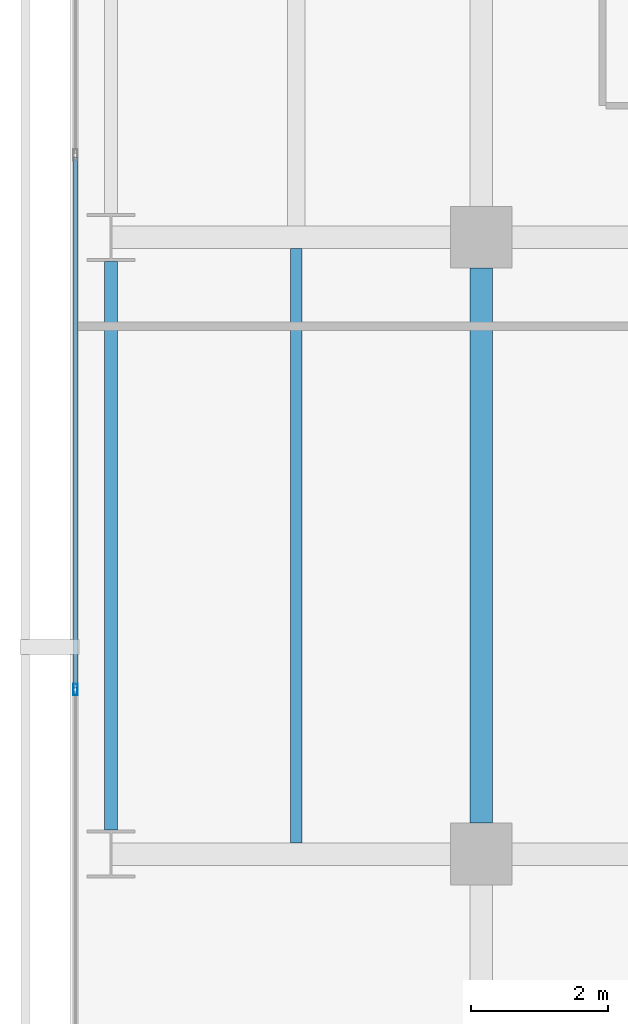
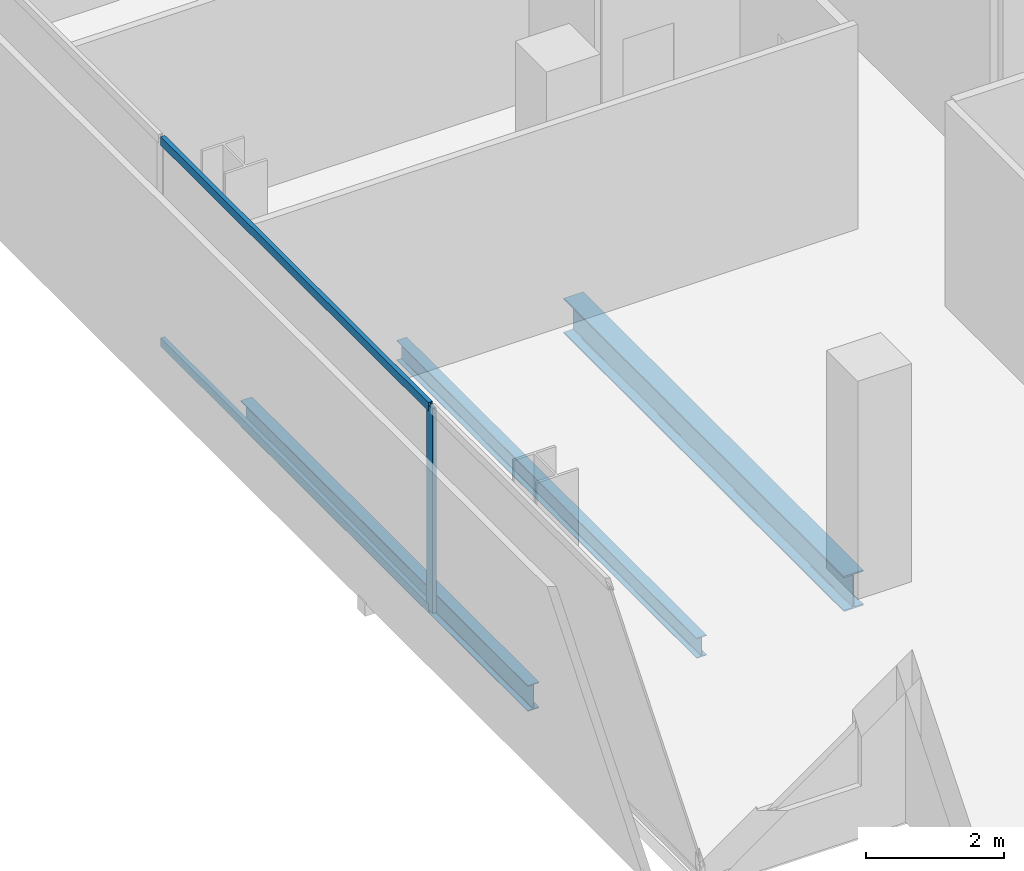
# One storey, part 5 of 40: 3 beams, 3 members, 1 element without a shape of its own.
"""IFC4 building model written with IfcOpenShell, lengths in metres."""

from ifc_helpers import new_model, si_unit, direction, frame, origin, origin_2d, place, context, subcontext, project, spatial, hollow_rectangle, i_section, extrude, material, layer, layer_set, material_profile, profile_set, type_object, element, aggregate, save


model = new_model("IFC4")

# Units and contexts
model_context = context("Model", 3, precision=1e-05, world=origin(), true_north=direction((0.0, 1.0)))
body_context = subcontext(model_context, "Body", "Model", "MODEL_VIEW")
ifc_project = project(units=[si_unit("LENGTHUNIT", "METRE"), si_unit("AREAUNIT", "SQUARE_METRE"), si_unit("VOLUMEUNIT", "CUBIC_METRE"), si_unit("PLANEANGLEUNIT", "RADIAN"), si_unit("MASSUNIT", "GRAM", prefix="KILO")], contexts=[model_context])

# Site, building, storey
site_placement = place(None, origin())
site = spatial("IfcSite", under=ifc_project, at=site_placement, CompositionType="ELEMENT")
building_placement = place(site_placement, origin())
building = spatial("IfcBuilding", under=site, at=building_placement, Name="Maruvema Waterfront Hotel and Observation Tower", CompositionType="ELEMENT")
storey_placement = place(building_placement, frame((0.0, 0.0, 50.050048828125)))
storey = spatial("IfcBuildingStorey", under=building, at=storey_placement, Name="L11", CompositionType="ELEMENT", Elevation=50.050048828125)

# Curtain wall, members
ifc_material_1 = material(Name="Anodised bronze aluminium and solar-control low-E IGU", Category="aluminium")
ifc_layer = layer(ifc_material_1, 0.159912109375, Name="Zone 1 Bronze Inner Thermal Curtain Wall System CW-02")
ifc_layer_set = layer_set([ifc_layer], Name="Anodised bronze aluminium and solar-control low-E IGU")
curtain_wall_type = type_object("IfcCurtainWallType", Name="Zone 1 Bronze Inner Thermal Curtain Wall System CW-02", PredefinedType="USERDEFINED", material=ifc_layer_set)
curtain_wall_placement = place(storey_placement, origin())
curtain_wall = element("IfcCurtainWall", 1, at=curtain_wall_placement, inside=storey, type_object=curtain_wall_type, Name="L11 Curtain Wall CW-L11-W", ObjectType="UNITISED CURTAIN WALL", PredefinedType="USERDEFINED")
ifc_material_2 = material(Name="Anodised architectural bronze aluminium", Category="aluminium")
ifc_material_profile_1 = material_profile(ifc_material_2, hollow_rectangle(XDim=0.070068359375, YDim=0.14990234375, WallThickness=0.00390625, at=origin_2d()), Name="ALU-T70x150")
ifc_profile_set_1 = profile_set([ifc_material_profile_1], Name="Anodised architectural bronze aluminium")
member_type_1 = type_object("IfcMemberType", Name="Curtain Wall Horizontal Transom ALU-T70x150", PredefinedType="USERDEFINED", material=ifc_profile_set_1)
member_1_placement = place(storey_placement, frame((10.8798828125, 19.169921875, 0.030029296875), z_axis=(0.0, -1.0, 0.0), x_axis=(1.0, 0.0, 0.0)))
member_1 = element("IfcMember", 2, at=member_1_placement, type_object=member_type_1, Name="CW-02 transom 5.1", ObjectType="TRANSOM", PredefinedType="USERDEFINED", context=body_context, shape_type="SweptSolid", body=[
    extrude(hollow_rectangle(XDim=0.070068359375, YDim=0.14990234375, WallThickness=0.00390625, at=origin_2d()), origin(), (0.0, 0.0, 1.0), 7.739990234375),
])
member_2_placement = place(storey_placement, frame((10.8798828125, 19.169921875, 3.579833984375), z_axis=(0.0, -1.0, 0.0), x_axis=(1.0, 0.0, 0.0)))
member_2 = element("IfcMember", 3, at=member_2_placement, type_object=member_type_1, Name="CW-02 transom 5.2", ObjectType="TRANSOM", PredefinedType="USERDEFINED", context=body_context, shape_type="SweptSolid", body=[
    extrude(hollow_rectangle(XDim=0.070068359375, YDim=0.14990234375, WallThickness=0.00390625, at=origin_2d()), origin(), (0.0, 0.0, 1.0), 7.739990234375),
])
ifc_material_3 = material(Name="Anodised architectural bronze aluminium", Category="aluminium")
ifc_material_profile_2 = material_profile(ifc_material_3, hollow_rectangle(XDim=0.06494140625, YDim=0.1650390625, WallThickness=0.00390625, at=origin_2d()), Name="ALU-M65x165")
ifc_profile_set_2 = profile_set([ifc_material_profile_2], Name="Anodised architectural bronze aluminium")
member_type_2 = type_object("IfcMemberType", Name="Curtain Wall Primary Mullion ALU-M65x165", PredefinedType="MULLION", material=ifc_profile_set_2)
member_3_placement = place(storey_placement, frame((10.8798828125, 11.39990234375, 0.0), z_axis=(0.0, 0.0, 1.0), x_axis=(1.0, 0.0, 0.0)))
member_3 = element("IfcMember", 4, at=member_3_placement, type_object=member_type_2, Name="CW-02 mullion 6", PredefinedType="MULLION", context=body_context, shape_type="SweptSolid", body=[
    extrude(hollow_rectangle(XDim=0.06494140625, YDim=0.1650390625, WallThickness=0.00390625, at=origin_2d()), origin(), (0.0, 0.0, 1.0), 3.60986328125),
])
aggregate(curtain_wall, [member_3, member_1, member_2])

# Beams
ifc_material_4 = material(Name="Steel ASTM A572 Grade 50", Category="steel")
ifc_material_profile_3 = material_profile(ifc_material_4, i_section(OverallWidth=0.18994140625, OverallDepth=0.45703125, WebThickness=0.009033203125, FlangeThickness=0.014404296875, FilletRadius=0.014892578125, at=origin_2d()), Name="W460x74.0")
ifc_profile_set_3 = profile_set([ifc_material_profile_3], Name="Steel ASTM A572 Grade 50")
beam_type_1 = type_object("IfcBeamType", Name="Perimeter Spandrel Beam W460x74.0", PredefinedType="SPANDREL", material=ifc_profile_set_3)
beam_1_placement = place(storey_placement, frame((11.39990234375, 9.35009765625, -0.468505859375), z_axis=(0.0, 1.0, 0.0), x_axis=(-1.0, 0.0, 0.0)))
element("IfcBeam", 5, at=beam_1_placement, inside=storey, type_object=beam_type_1, Name="L11 Floor Girder NS-01", PredefinedType="SPANDREL", context=body_context, shape_type="SweptSolid", body=[
    extrude(i_section(OverallWidth=0.18994140625, OverallDepth=0.45703125, WebThickness=0.009033203125, FlangeThickness=0.014404296875, FilletRadius=0.014892578125, at=origin_2d()), origin(), (0.0, 0.0, 1.0), 8.2998046875),
])
ifc_material_5 = material(Name="Steel ASTM A572 Grade 50", Category="steel")
ifc_material_profile_4 = material_profile(ifc_material_5, i_section(OverallWidth=0.326904296875, OverallDepth=0.6220703125, WebThickness=0.015380859375, FlangeThickness=0.0244140625, FilletRadius=0.01806640625, at=origin_2d()), Name="W610x195.0")
ifc_profile_set_4 = profile_set([ifc_material_profile_4], Name="Steel ASTM A572 Grade 50")
beam_type_2 = type_object("IfcBeamType", Name="Primary Floor Girder W610x195.0", PredefinedType="BEAM", material=ifc_profile_set_4)
beam_2_placement = place(storey_placement, frame((16.800048828125, 9.449951171875, -0.551025390625), z_axis=(0.0, 1.0, 0.0), x_axis=(-1.0, 0.0, 0.0)))
element("IfcBeam", 6, at=beam_2_placement, inside=storey, type_object=beam_type_2, Name="L11 Floor Girder NS-06", PredefinedType="BEAM", context=body_context, shape_type="SweptSolid", body=[
    extrude(i_section(OverallWidth=0.326904296875, OverallDepth=0.6220703125, WebThickness=0.015380859375, FlangeThickness=0.0244140625, FilletRadius=0.01806640625, at=origin_2d()), origin(), (0.0, 0.0, 1.0), 8.10009765625),
])
ifc_material_6 = material(Name="Steel ASTM A572 Grade 50", Category="steel")
ifc_material_profile_5 = material_profile(ifc_material_6, i_section(OverallWidth=0.1708984375, OverallDepth=0.35498046875, WebThickness=0.007080078125, FlangeThickness=0.01171875, FilletRadius=0.014892578125, at=origin_2d()), Name="W360x51.0")
ifc_profile_set_5 = profile_set([ifc_material_profile_5], Name="Steel ASTM A572 Grade 50")
beam_type_3 = type_object("IfcBeamType", Name="Secondary Floor Joist W360x51.0", PredefinedType="JOIST", material=ifc_profile_set_5)
beam_3_placement = place(storey_placement, frame((14.10009765625, 9.16357421875, -0.41748046875), z_axis=(0.0, 1.0, 0.0), x_axis=(-1.0, 0.0, 0.0)))
element("IfcBeam", 7, at=beam_3_placement, inside=storey, type_object=beam_type_3, Name="L11 Secondary Floor Joist JS-01", PredefinedType="JOIST", context=body_context, shape_type="SweptSolid", body=[
    extrude(i_section(OverallWidth=0.1708984375, OverallDepth=0.35498046875, WebThickness=0.007080078125, FlangeThickness=0.01171875, FilletRadius=0.014892578125, at=origin_2d()), origin(), (0.0, 0.0, 1.0), 8.6728515625),
])

save(model, "model.ifc")
